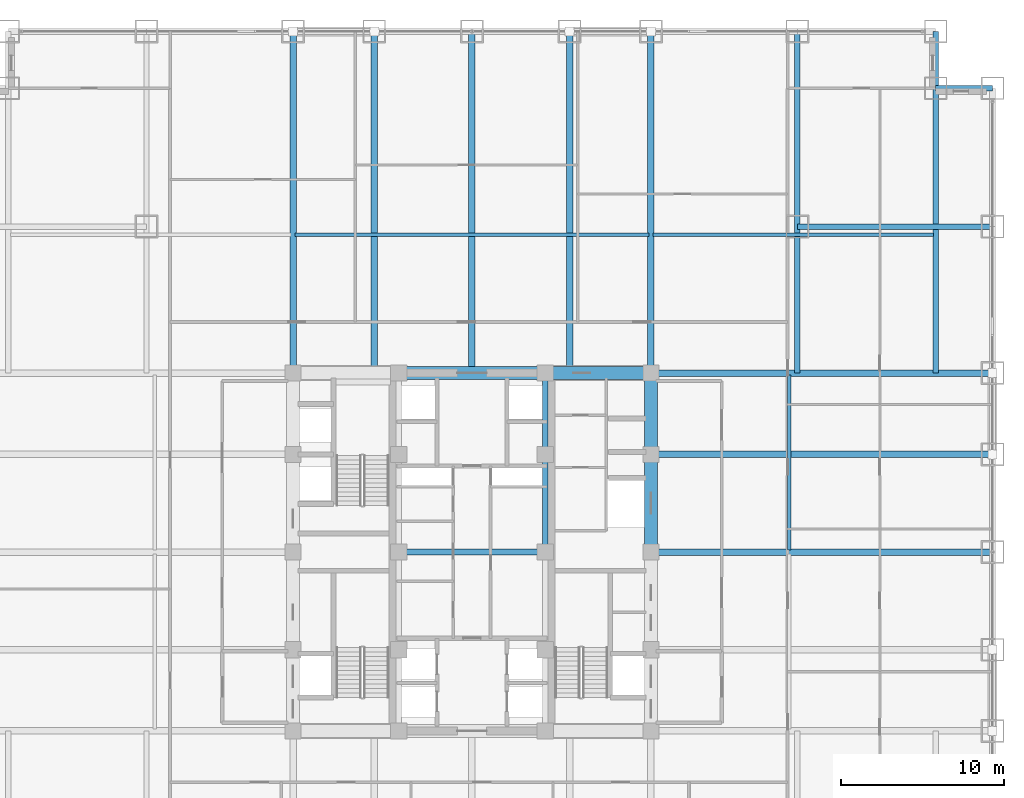
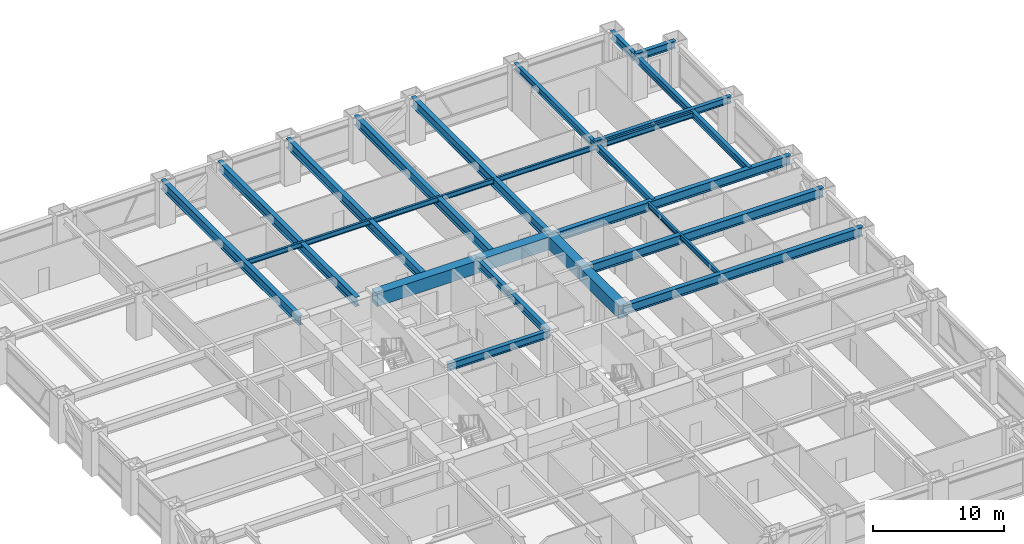
# One storey, part 11 of 28: 23 beams.
"""IFC4 building model written with IfcOpenShell, lengths in metres."""

from ifc_helpers import new_model, si_unit, direction, frame, origin, origin_2d, place, context, subcontext, project, spatial, rectangle, i_section, extrude, source, transform, mapped, material, material_profile, profile_set, type_object, element, save


model = new_model("IFC4")

# Units and contexts
model_context = context("Model", 3, precision=1e-05, world=origin(), true_north=direction((0.0, 1.0)))
body_context = subcontext(model_context, "Body", "Model", "MODEL_VIEW")
ifc_project = project(units=[si_unit("LENGTHUNIT", "METRE"), si_unit("AREAUNIT", "SQUARE_METRE"), si_unit("VOLUMEUNIT", "CUBIC_METRE"), si_unit("PLANEANGLEUNIT", "RADIAN"), si_unit("MASSUNIT", "GRAM", prefix="KILO")], contexts=[model_context])

# Site, building, storey
site_placement = place(None, origin())
site = spatial("IfcSite", under=ifc_project, at=site_placement, CompositionType="ELEMENT")
building_placement = place(site_placement, origin())
building = spatial("IfcBuilding", under=site, at=building_placement, Name="Khorayat Bourse Tower", CompositionType="ELEMENT")
storey_placement = place(building_placement, frame((0.0, 0.0, 83.0)))
storey = spatial("IfcBuildingStorey", under=building, at=storey_placement, Name="L18", CompositionType="ELEMENT", Elevation=83.0)

# Beams
ifc_material_1 = material(Name="Concrete C72/90", Category="concrete")
ifc_material_profile_1 = material_profile(ifc_material_1, rectangle(XDim=0.800048828125, YDim=1.199951171875, at=origin_2d()), Name="RC 800x1200")
ifc_profile_set_1 = profile_set([ifc_material_profile_1], Name="Concrete C72/90")
beam_type_1 = type_object("IfcBeamType", Name="BM-COUP-1200", PredefinedType="BEAM", material=ifc_profile_set_1)
shared_shape_1 = source(origin(), body_context, "Body", "SweptSolid", [
    extrude(rectangle(XDim=0.800048828125, YDim=1.199951171875, at=origin_2d()), origin(), (0.0, 0.0, 1.0), 5.0),
])
beam_1_placement = place(storey_placement, frame((11.0, 6.0, 3.340087890625), z_axis=(0.0, 1.0, 0.0), x_axis=(-1.0, 0.0, 0.0)))
element("IfcBeam", 1, at=beam_1_placement, inside=storey, type_object=beam_type_1, Name="L18 BM-COUP-1200 BM-L18-CRX-16", PredefinedType="BEAM", context=body_context, shape_type="MappedRepresentation", body=[
    mapped(shared_shape_1, transform((0.0, 0.0, 0.0), scale=1.0)),
])
shared_shape_2 = source(origin(), body_context, "Body", "SweptSolid", [
    extrude(rectangle(XDim=0.800048828125, YDim=1.199951171875, at=origin_2d()), origin(), (0.0, 0.0, 1.0), 6.0),
])
beam_2_placement = place(storey_placement, frame((11.0, 0.0, 3.340087890625), z_axis=(0.0, 1.0, 0.0), x_axis=(-1.0, 0.0, 0.0)))
element("IfcBeam", 2, at=beam_2_placement, inside=storey, type_object=beam_type_1, Name="L18 BM-COUP-1200 BM-L18-CRX-15", PredefinedType="BEAM", context=body_context, shape_type="MappedRepresentation", body=[
    mapped(shared_shape_2, transform((0.0, 0.0, 0.0), scale=1.0)),
])
ifc_material_2 = material(Name="Steel ASTM A992 Grade 50", Category="steel")
ifc_material_profile_2 = material_profile(ifc_material_2, i_section(OverallWidth=0.35498046875, OverallDepth=0.695068359375, WebThickness=0.015380859375, FlangeThickness=0.02490234375, FilletRadius=0.01806640625, at=origin_2d()), Name="W690X217")
ifc_profile_set_2 = profile_set([ifc_material_profile_2], Name="Steel ASTM A992 Grade 50")
beam_type_2 = type_object("IfcBeamType", Name="BM-GIRD-690", PredefinedType="BEAM", material=ifc_profile_set_2)
shared_shape_3 = source(origin(), body_context, "Body", "SweptSolid", [
    extrude(i_section(OverallWidth=0.35498046875, OverallDepth=0.695068359375, WebThickness=0.015380859375, FlangeThickness=0.02490234375, FilletRadius=0.01806640625, at=origin_2d()), origin(), (0.0, 0.0, 1.0), 5.0),
])
beam_3_placement = place(storey_placement, frame((4.5, 6.0, 3.592529296875), z_axis=(0.0, 1.0, 0.0), x_axis=(-1.0, 0.0, 0.0)))
element("IfcBeam", 3, at=beam_3_placement, inside=storey, type_object=beam_type_2, Name="L18 BM-GIRD-690 BM-L18-CRX-12", PredefinedType="BEAM", context=body_context, shape_type="MappedRepresentation", body=[
    mapped(shared_shape_3, transform((0.0, 0.0, 0.0), scale=1.0)),
])
shared_shape_4 = source(origin(), body_context, "Body", "SweptSolid", [
    extrude(i_section(OverallWidth=0.35498046875, OverallDepth=0.695068359375, WebThickness=0.015380859375, FlangeThickness=0.02490234375, FilletRadius=0.01806640625, at=origin_2d()), origin(), (0.0, 0.0, 1.0), 6.0),
])
beam_4_placement = place(storey_placement, frame((4.5, 0.0, 3.592529296875), z_axis=(0.0, 1.0, 0.0), x_axis=(-1.0, 0.0, 0.0)))
element("IfcBeam", 4, at=beam_4_placement, inside=storey, type_object=beam_type_2, Name="L18 BM-GIRD-690 BM-L18-CRX-11", PredefinedType="BEAM", context=body_context, shape_type="MappedRepresentation", body=[
    mapped(shared_shape_4, transform((0.0, 0.0, 0.0), scale=1.0)),
])
shared_shape_5 = source(origin(), body_context, "Body", "SweptSolid", [
    extrude(rectangle(XDim=0.800048828125, YDim=1.199951171875, at=origin_2d()), origin(), (0.0, 0.0, 1.0), 6.5),
])
beam_5_placement = place(storey_placement, frame((4.5, 11.0, 3.340087890625), z_axis=(1.0, 0.0, 0.0), x_axis=(0.0, 1.0, 0.0)))
element("IfcBeam", 5, at=beam_5_placement, inside=storey, type_object=beam_type_1, Name="L18 BM-COUP-1200 BM-L18-CRY-22", PredefinedType="BEAM", context=body_context, shape_type="MappedRepresentation", body=[
    mapped(shared_shape_5, transform((0.0, 0.0, 0.0), scale=1.0)),
])
shared_shape_6 = source(origin(), body_context, "Body", "SweptSolid", [
    extrude(rectangle(XDim=0.800048828125, YDim=1.199951171875, at=origin_2d()), origin(), (0.0, 0.0, 1.0), 9.0),
])
beam_6_placement = place(storey_placement, frame((-4.5, 11.0, 3.340087890625), z_axis=(1.0, 0.0, 0.0), x_axis=(0.0, 1.0, 0.0)))
element("IfcBeam", 6, at=beam_6_placement, inside=storey, type_object=beam_type_1, Name="L18 BM-COUP-1200 BM-L18-CRY-21", PredefinedType="BEAM", context=body_context, shape_type="MappedRepresentation", body=[
    mapped(shared_shape_6, transform((0.0, 0.0, 0.0), scale=1.0)),
])
shared_shape_7 = source(origin(), body_context, "Body", "SweptSolid", [
    extrude(i_section(OverallWidth=0.35498046875, OverallDepth=0.695068359375, WebThickness=0.015380859375, FlangeThickness=0.02490234375, FilletRadius=0.01806640625, at=origin_2d()), origin(), (0.0, 0.0, 1.0), 9.0),
])
beam_7_placement = place(storey_placement, frame((-4.5, 0.0, 3.592529296875), z_axis=(1.0, 0.0, 0.0), x_axis=(0.0, 1.0, 0.0)))
element("IfcBeam", 7, at=beam_7_placement, inside=storey, type_object=beam_type_2, Name="L18 BM-GIRD-690 BM-L18-CRY-23", PredefinedType="BEAM", context=body_context, shape_type="MappedRepresentation", body=[
    mapped(shared_shape_7, transform((0.0, 0.0, 0.0), scale=1.0)),
])
ifc_material_profile_3 = material_profile(ifc_material_2, i_section(OverallWidth=0.35498046875, OverallDepth=0.695068359375, WebThickness=0.015380859375, FlangeThickness=0.02490234375, FilletRadius=0.01806640625, at=origin_2d()), Name="W690X217")
ifc_profile_set_3 = profile_set([ifc_material_profile_3], Name="Steel ASTM A992 Grade 50")
beam_type_3 = type_object("IfcBeamType", Name="BM-SPAN-690", PredefinedType="SPANDREL", material=ifc_profile_set_3)
shared_shape_8 = source(origin(), body_context, "Body", "SweptSolid", [
    extrude(i_section(OverallWidth=0.35498046875, OverallDepth=0.695068359375, WebThickness=0.015380859375, FlangeThickness=0.02490234375, FilletRadius=0.01806640625, at=origin_2d()), origin(), (0.0, 0.0, 1.0), 3.5),
])
for number, where, z_axis, x_axis, name in (
    (8, (28.5, 28.5, 3.592529296875), (1.0, 0.0, 0.0), (0.0, 1.0, 0.0), "L18 BM-SPAN-690 BM-L18-SPN-042"),
    (9, (28.5, 28.5, 3.592529296875), (0.0, 1.0, 0.0), (-1.0, 0.0, 0.0), "L18 BM-SPAN-690 BM-L18-SPN-043"),
):
    element("IfcBeam", number, at=place(storey_placement, frame(where, z_axis=z_axis, x_axis=x_axis)), inside=storey, type_object=beam_type_3, Name=name, PredefinedType="SPANDREL", context=body_context, shape_type="MappedRepresentation", body=[
        mapped(shared_shape_8, transform((0.0, 0.0, 0.0), scale=1.0)),
    ])
ifc_material_profile_4 = material_profile(ifc_material_2, i_section(OverallWidth=0.39990234375, OverallDepth=0.85498046875, WebThickness=0.018310546875, FlangeThickness=0.029296875, FilletRadius=0.02001953125, at=origin_2d()), Name="W840X299")
ifc_profile_set_4 = profile_set([ifc_material_profile_4], Name="Steel ASTM A992 Grade 50")
beam_type_4 = type_object("IfcBeamType", Name="BM-GIRD-840", PredefinedType="BEAM", material=ifc_profile_set_4)
shared_shape_9 = source(origin(), body_context, "Body", "SweptSolid", [
    extrude(i_section(OverallWidth=0.39990234375, OverallDepth=0.85498046875, WebThickness=0.018310546875, FlangeThickness=0.029296875, FilletRadius=0.02001953125, at=origin_2d()), origin(), (0.0, 0.0, 1.0), 21.0),
])
for number, where, z_axis, x_axis, name in (
    (10, (-11.0, 11.0, 3.512451171875), (0.0, 1.0, 0.0), (-1.0, 0.0, 0.0), "L18 BM-GIRD-840 BM-L18-RADY-064"),
    (11, (-6.0, 11.0, 3.512451171875), (0.0, 1.0, 0.0), (-1.0, 0.0, 0.0), "L18 BM-GIRD-840 BM-L18-RADY-066"),
    (12, (0.0, 11.0, 3.512451171875), (0.0, 1.0, 0.0), (-1.0, 0.0, 0.0), "L18 BM-GIRD-840 BM-L18-RADY-068"),
    (13, (6.0, 11.0, 3.512451171875), (0.0, 1.0, 0.0), (-1.0, 0.0, 0.0), "L18 BM-GIRD-840 BM-L18-RADY-070"),
    (14, (11.0, 11.0, 3.512451171875), (0.0, 1.0, 0.0), (-1.0, 0.0, 0.0), "L18 BM-GIRD-840 BM-L18-RADY-072"),
    (15, (11.0, 0.0, 3.512451171875), (1.0, 0.0, 0.0), (0.0, 1.0, 0.0), "L18 BM-GIRD-840 BM-L18-RADX-078"),
    (16, (11.0, 6.0, 3.512451171875), (1.0, 0.0, 0.0), (0.0, 1.0, 0.0), "L18 BM-GIRD-840 BM-L18-RADX-080"),
    (17, (11.0, 11.0, 3.512451171875), (1.0, 0.0, 0.0), (0.0, 1.0, 0.0), "L18 BM-GIRD-840 BM-L18-RADX-082"),
):
    element("IfcBeam", number, at=place(storey_placement, frame(where, z_axis=z_axis, x_axis=x_axis)), inside=storey, type_object=beam_type_4, Name=name, PredefinedType="BEAM", context=body_context, shape_type="MappedRepresentation", body=[
        mapped(shared_shape_9, transform((0.0, 0.0, 0.0), scale=1.0)),
    ])
ifc_material_profile_5 = material_profile(ifc_material_2, i_section(OverallWidth=0.324951171875, OverallDepth=0.615966796875, WebThickness=0.013916015625, FlangeThickness=0.021484375, FilletRadius=0.01611328125, at=origin_2d()), Name="W610X174")
ifc_profile_set_5 = profile_set([ifc_material_profile_5], Name="Steel ASTM A992 Grade 50")
beam_type_5 = type_object("IfcBeamType", Name="BM-GIRD-610", PredefinedType="BEAM", material=ifc_profile_set_5)
shared_shape_10 = source(origin(), body_context, "Body", "SweptSolid", [
    extrude(i_section(OverallWidth=0.324951171875, OverallDepth=0.615966796875, WebThickness=0.013916015625, FlangeThickness=0.021484375, FilletRadius=0.01611328125, at=origin_2d()), origin(), (0.0, 0.0, 1.0), 21.0),
])
beam_8_placement = place(storey_placement, frame((20.0, 11.0, 3.632080078125), z_axis=(0.0, 1.0, 0.0), x_axis=(-1.0, 0.0, 0.0)))
element("IfcBeam", 18, at=beam_8_placement, inside=storey, type_object=beam_type_5, Name="L18 BM-GIRD-610 BM-L18-CNRY-087", PredefinedType="BEAM", context=body_context, shape_type="MappedRepresentation", body=[
    mapped(shared_shape_10, transform((0.0, 0.0, 0.0), scale=1.0)),
])
shared_shape_11 = source(origin(), body_context, "Body", "SweptSolid", [
    extrude(i_section(OverallWidth=0.324951171875, OverallDepth=0.615966796875, WebThickness=0.013916015625, FlangeThickness=0.021484375, FilletRadius=0.01611328125, at=origin_2d()), origin(), (0.0, 0.0, 1.0), 17.5),
])
beam_9_placement = place(storey_placement, frame((28.5, 11.0, 3.632080078125), z_axis=(0.0, 1.0, 0.0), x_axis=(-1.0, 0.0, 0.0)))
element("IfcBeam", 19, at=beam_9_placement, inside=storey, type_object=beam_type_5, Name="L18 BM-GIRD-610 BM-L18-CNRY-091", PredefinedType="BEAM", context=body_context, shape_type="MappedRepresentation", body=[
    mapped(shared_shape_11, transform((0.0, 0.0, 0.0), scale=1.0)),
])
shared_shape_12 = source(origin(), body_context, "Body", "SweptSolid", [
    extrude(i_section(OverallWidth=0.324951171875, OverallDepth=0.615966796875, WebThickness=0.013916015625, FlangeThickness=0.021484375, FilletRadius=0.01611328125, at=origin_2d()), origin(), (0.0, 0.0, 1.0), 12.0),
])
beam_10_placement = place(storey_placement, frame((20.0, 20.0, 3.632080078125), z_axis=(1.0, 0.0, 0.0), x_axis=(0.0, 1.0, 0.0)))
element("IfcBeam", 20, at=beam_10_placement, inside=storey, type_object=beam_type_5, Name="L18 BM-GIRD-610 BM-L18-CNRX-094", PredefinedType="BEAM", context=body_context, shape_type="MappedRepresentation", body=[
    mapped(shared_shape_12, transform((0.0, 0.0, 0.0), scale=1.0)),
])
ifc_material_profile_6 = material_profile(ifc_material_2, i_section(OverallWidth=0.194091796875, OverallDepth=0.468994140625, WebThickness=0.0126953125, FlangeThickness=0.0205078125, FilletRadius=0.012939453125, at=origin_2d()), Name="W460X106")
ifc_profile_set_6 = profile_set([ifc_material_profile_6], Name="Steel ASTM A992 Grade 50")
beam_type_6 = type_object("IfcBeamType", Name="BM-JOIST-460", PredefinedType="JOIST", material=ifc_profile_set_6)
shared_shape_13 = source(origin(), body_context, "Body", "SweptSolid", [
    extrude(i_section(OverallWidth=0.194091796875, OverallDepth=0.468994140625, WebThickness=0.0126953125, FlangeThickness=0.0205078125, FilletRadius=0.012939453125, at=origin_2d()), origin(), (0.0, 0.0, 1.0), 17.240234375),
])
beam_11_placement = place(storey_placement, frame((11.1298828125, 19.5, 3.70556640625), z_axis=(1.0, 0.0, 0.0), x_axis=(0.0, 1.0, 0.0)))
element("IfcBeam", 21, at=beam_11_placement, inside=storey, type_object=beam_type_6, Name="L18 BM-JOIST-460 BM-L18-JSTX-101", PredefinedType="JOIST", context=body_context, shape_type="MappedRepresentation", body=[
    mapped(shared_shape_13, transform((0.0, 0.0, 0.0), scale=1.0)),
])
shared_shape_14 = source(origin(), body_context, "Body", "SweptSolid", [
    extrude(i_section(OverallWidth=0.194091796875, OverallDepth=0.468994140625, WebThickness=0.0126953125, FlangeThickness=0.0205078125, FilletRadius=0.012939453125, at=origin_2d()), origin(), (0.0, 0.0, 1.0), 21.740234375),
])
beam_12_placement = place(storey_placement, frame((-10.8701171875, 19.5, 3.70556640625), z_axis=(1.0, 0.0, 0.0), x_axis=(0.0, 1.0, 0.0)))
element("IfcBeam", 22, at=beam_12_placement, inside=storey, type_object=beam_type_6, Name="L18 BM-JOIST-460 BM-L18-JSTX-100", PredefinedType="JOIST", context=body_context, shape_type="MappedRepresentation", body=[
    mapped(shared_shape_14, transform((0.0, 0.0, 0.0), scale=1.0)),
])
shared_shape_15 = source(origin(), body_context, "Body", "SweptSolid", [
    extrude(i_section(OverallWidth=0.194091796875, OverallDepth=0.468994140625, WebThickness=0.0126953125, FlangeThickness=0.0205078125, FilletRadius=0.012939453125, at=origin_2d()), origin(), (0.0, 0.0, 1.0), 10.740234375),
])
beam_13_placement = place(storey_placement, frame((19.5, 0.1298828125, 3.70556640625), z_axis=(0.0, 1.0, 0.0), x_axis=(-1.0, 0.0, 0.0)))
element("IfcBeam", 23, at=beam_13_placement, inside=storey, type_object=beam_type_6, Name="L18 BM-JOIST-460 BM-L18-JSTY-105", PredefinedType="JOIST", context=body_context, shape_type="MappedRepresentation", body=[
    mapped(shared_shape_15, transform((0.0, 0.0, 0.0), scale=1.0)),
])

save(model, "model.ifc")
